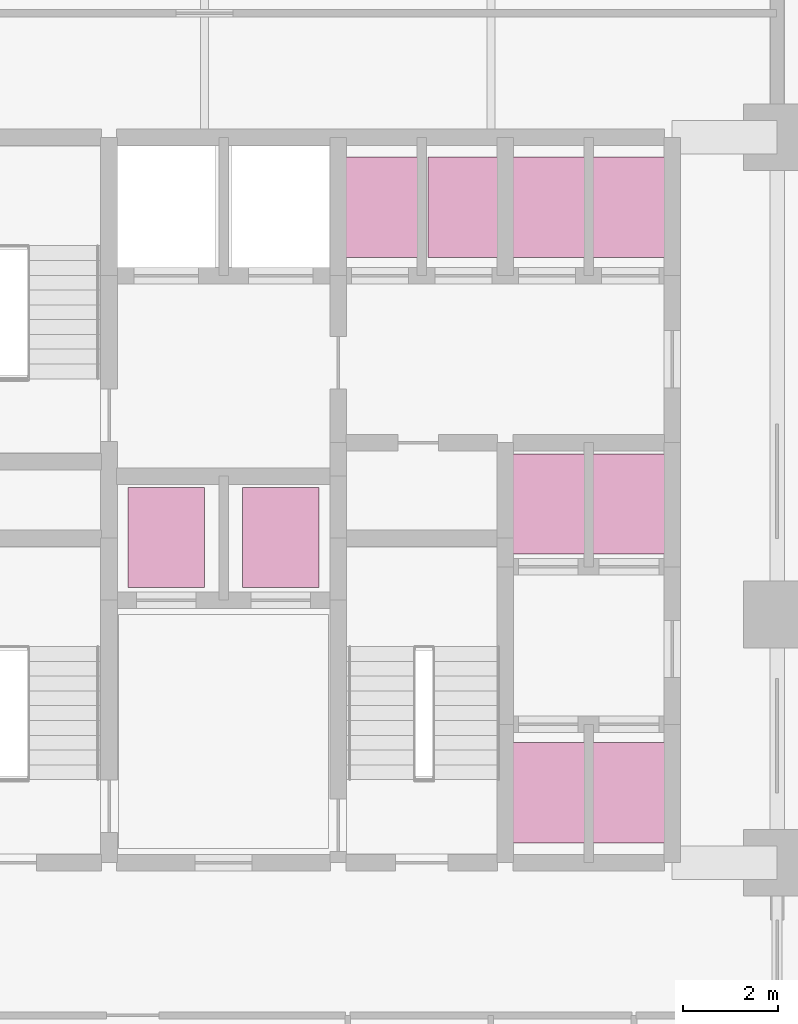
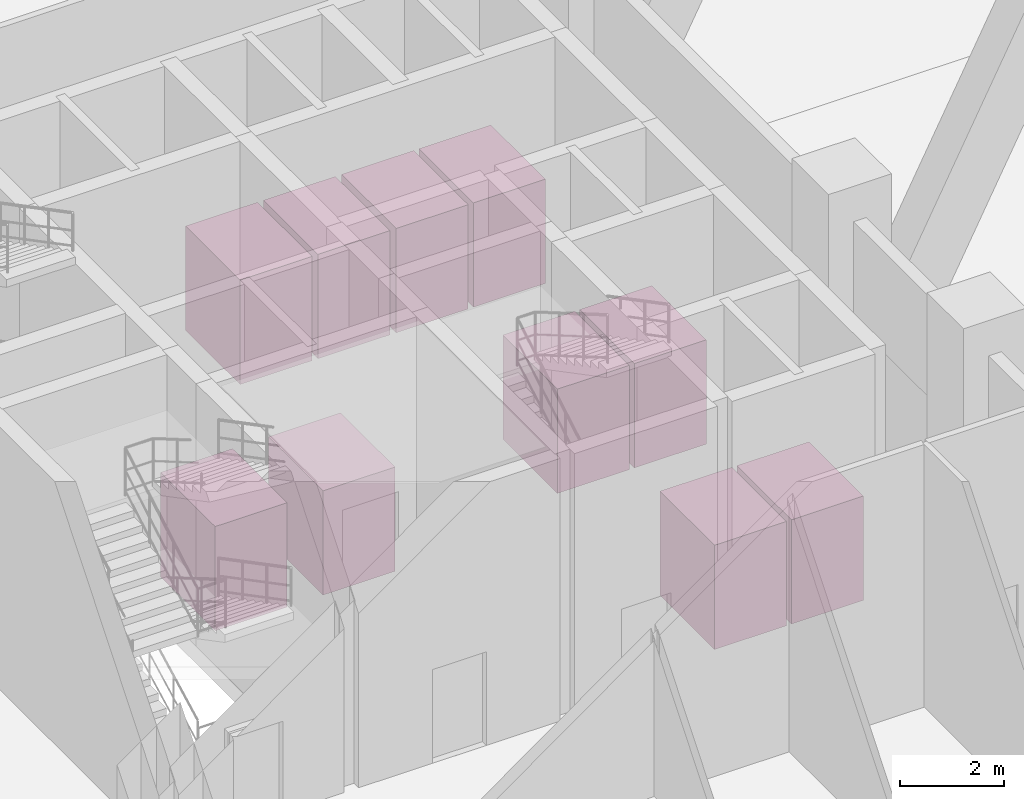
# One storey, part 10 of 10: 10 transport elements.
"""IFC4 building model written with IfcOpenShell, lengths in metres."""

from ifc_helpers import new_model, si_unit, direction, frame, origin, origin_2d, place, context, subcontext, project, spatial, rectangle, extrude, material, type_object, element, save


model = new_model("IFC4")

# Units and contexts
model_context = context("Model", 3, precision=1e-05, world=origin(), true_north=direction((0.0, 1.0)))
body_context = subcontext(model_context, "Body", "Model", "MODEL_VIEW")
ifc_project = project(units=[si_unit("LENGTHUNIT", "METRE"), si_unit("AREAUNIT", "SQUARE_METRE"), si_unit("VOLUMEUNIT", "CUBIC_METRE"), si_unit("PLANEANGLEUNIT", "RADIAN"), si_unit("MASSUNIT", "GRAM", prefix="KILO")], contexts=[model_context])

# Site, building, storey
site_placement = place(None, origin())
site = spatial("IfcSite", under=ifc_project, at=site_placement, CompositionType="ELEMENT")
building_placement = place(site_placement, origin())
building = spatial("IfcBuilding", under=site, at=building_placement, Name="Keshet Zoharim Tower", CompositionType="ELEMENT")
storey_placement = place(building_placement, origin())
storey = spatial("IfcBuildingStorey", under=building, at=storey_placement, Name="L00", CompositionType="ELEMENT", Elevation=0.0)

# Transport elements
ifc_material = material(Name="Steel S355", Category="steel")
transport_element_type_1 = type_object("IfcTransportElementType", Name="LFT-PAS-1350", PredefinedType="ELEVATOR", material=ifc_material)
for number, where, z_axis, x_axis, name in (
    (1, (24.75, 36.43505859375, 0.0), (0.0, 0.0, 1.0), (1.0, 0.0, 0.0), "Passenger Lift LF-01"),
    (2, (26.47998046875, 36.43505859375, 0.0), (0.0, 0.0, 1.0), (1.0, 0.0, 0.0), "Passenger Lift LF-02"),
    (3, (28.219970703125, 36.43505859375, 0.0), (0.0, 0.0, 1.0), (1.0, 0.0, 0.0), "Passenger Lift LF-03"),
    (4, (29.93505859375, 36.43505859375, 0.0), (0.0, 0.0, 1.0), (1.0, 0.0, 0.0), "Passenger Lift LF-04"),
    (5, (28.2099609375, 30.215087890625, 0.0), (0.0, 0.0, 1.0), (1.0, 0.0, 0.0), "Passenger Lift LF-05"),
    (6, (29.919921875, 30.215087890625, 0.0), (0.0, 0.0, 1.0), (1.0, 0.0, 0.0), "Passenger Lift LF-06"),
    (7, (28.2099609375, 24.1650390625, 0.0), (0.0, 0.0, 1.0), (1.0, 0.0, 0.0), "Passenger Lift LF-07"),
    (8, (29.919921875, 24.1650390625, 0.0), (0.0, 0.0, 1.0), (1.0, 0.0, 0.0), "Passenger Lift LF-08"),
):
    element("IfcTransportElement", number, at=place(storey_placement, frame(where, z_axis=z_axis, x_axis=x_axis)), inside=storey, type_object=transport_element_type_1, Name=name, PredefinedType="ELEVATOR", context=body_context, shape_type="SweptSolid", body=[
        extrude(rectangle(XDim=1.60009765625, YDim=2.10009765625, at=origin_2d()), origin(), (0.0, 0.0, 1.0), 2.449951171875),
    ])
transport_element_type_2 = type_object("IfcTransportElementType", Name="LFT-PAS-1600", PredefinedType="ELEVATOR", material=ifc_material)
for number, where, z_axis, x_axis, name in (
    (9, (20.199951171875, 29.514892578125, 0.0), (0.0, 0.0, 1.0), (1.0, 0.0, 0.0), "Passenger Lift LF-09"),
    (10, (22.60009765625, 29.514892578125, 0.0), (0.0, 0.0, 1.0), (1.0, 0.0, 0.0), "Passenger Lift LF-10"),
):
    element("IfcTransportElement", number, at=place(storey_placement, frame(where, z_axis=z_axis, x_axis=x_axis)), inside=storey, type_object=transport_element_type_2, Name=name, PredefinedType="ELEVATOR", context=body_context, shape_type="SweptSolid", body=[
        extrude(rectangle(XDim=1.60009765625, YDim=2.10009765625, at=origin_2d()), origin(), (0.0, 0.0, 1.0), 2.449951171875),
    ])

save(model, "model.ifc")
